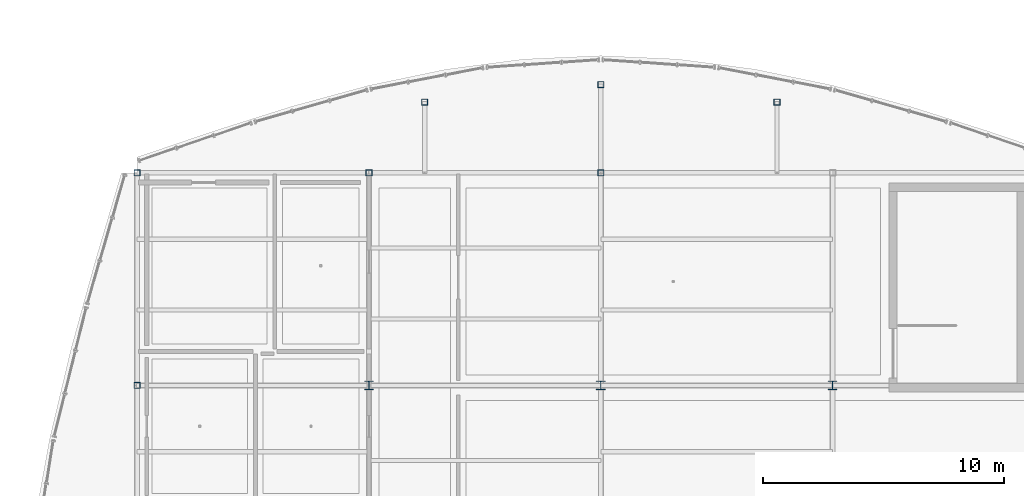
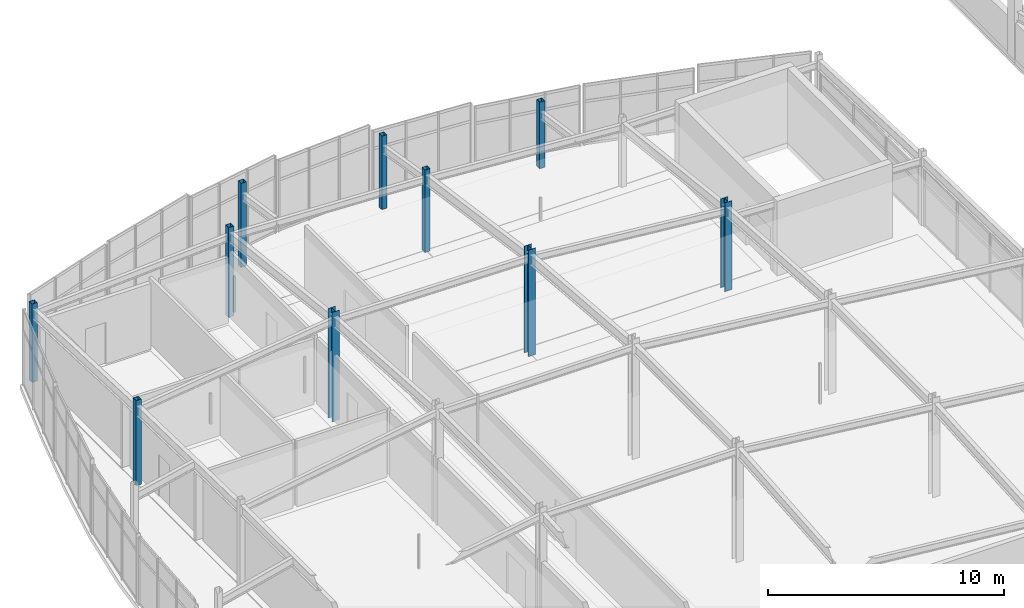
# One storey, part 4 of 114: 10 columns.
"""IFC4 building model written with IfcOpenShell, lengths in metres."""

from ifc_helpers import new_model, si_unit, direction, frame, origin, origin_2d, place, context, subcontext, project, spatial, hollow_rectangle, i_section, extrude, material, material_profile, profile_set, type_object, element, save


model = new_model("IFC4")

# Units and contexts
model_context = context("Model", 3, precision=1e-05, world=origin(), true_north=direction((0.0, 1.0)))
body_context = subcontext(model_context, "Body", "Model", "MODEL_VIEW")
ifc_project = project(units=[si_unit("LENGTHUNIT", "METRE"), si_unit("AREAUNIT", "SQUARE_METRE"), si_unit("VOLUMEUNIT", "CUBIC_METRE"), si_unit("PLANEANGLEUNIT", "RADIAN"), si_unit("MASSUNIT", "GRAM", prefix="KILO")], contexts=[model_context])

# Site, building, storey
site_placement = place(None, origin())
site = spatial("IfcSite", under=ifc_project, at=site_placement, CompositionType="ELEMENT")
building_placement = place(site_placement, origin())
building = spatial("IfcBuilding", under=site, at=building_placement, Name="Chalmorin Arch Market", CompositionType="ELEMENT")
storey_placement = place(building_placement, frame((0.0, 0.0, 9.60009765625)))
storey = spatial("IfcBuildingStorey", under=building, at=storey_placement, Name="L02", CompositionType="ELEMENT", Elevation=9.60009765625)

# Columns
ifc_material_1 = material(Name="Steel A500 Grade C", Category="steel")
ifc_material_profile_1 = material_profile(ifc_material_1, hollow_rectangle(XDim=0.25390625, YDim=0.25390625, WallThickness=0.01171875, at=origin_2d()), Name="HSS10X10X1/2")
ifc_profile_set_1 = profile_set([ifc_material_profile_1], Name="Steel A500 Grade C")
column_type_1 = type_object("IfcColumnType", Name="SteelTubeColumn-HSS10X10", PredefinedType="COLUMN", material=ifc_profile_set_1)
column_1_placement = place(storey_placement, frame((0.0, 41.199951171875, 0.0), z_axis=(0.0, 0.0, 1.0), x_axis=(1.0, 0.0, 0.0)))
element("IfcColumn", 1, at=column_1_placement, inside=storey, type_object=column_type_1, Name="C-HS2-022", PredefinedType="COLUMN", context=body_context, shape_type="SweptSolid", body=[
    extrude(hollow_rectangle(XDim=0.25390625, YDim=0.25390625, WallThickness=0.01171875, at=origin_2d()), origin(), (0.0, 0.0, 1.0), 4.40283203125),
])
column_2_placement = place(storey_placement, frame((0.0, 50.0, 0.0), z_axis=(0.0, 0.0, 1.0), x_axis=(1.0, 0.0, 0.0)))
element("IfcColumn", 2, at=column_2_placement, inside=storey, type_object=column_type_1, Name="C-HS2-026", PredefinedType="COLUMN", context=body_context, shape_type="SweptSolid", body=[
    extrude(hollow_rectangle(XDim=0.25390625, YDim=0.25390625, WallThickness=0.01171875, at=origin_2d()), origin(), (0.0, 0.0, 1.0), 4.054931640625),
])
column_3_placement = place(storey_placement, frame((9.60009765625, 50.0, 0.0), z_axis=(0.0, 0.0, 1.0), x_axis=(1.0, 0.0, 0.0)))
element("IfcColumn", 3, at=column_3_placement, inside=storey, type_object=column_type_1, Name="C-HS2-064", PredefinedType="COLUMN", context=body_context, shape_type="SweptSolid", body=[
    extrude(hollow_rectangle(XDim=0.25390625, YDim=0.25390625, WallThickness=0.01171875, at=origin_2d()), origin(), (0.0, 0.0, 1.0), 4.64794921875),
])
column_4_placement = place(storey_placement, frame((19.199951171875, 50.0, 0.0), z_axis=(0.0, 0.0, 1.0), x_axis=(1.0, 0.0, 0.0)))
element("IfcColumn", 4, at=column_4_placement, inside=storey, type_object=column_type_1, Name="C-HS2-101", PredefinedType="COLUMN", context=body_context, shape_type="SweptSolid", body=[
    extrude(hollow_rectangle(XDim=0.25390625, YDim=0.25390625, WallThickness=0.01171875, at=origin_2d()), origin(), (0.0, 0.0, 1.0), 4.2578125),
])
column_5_placement = place(storey_placement, frame((11.904052734375, 52.924072265625, 0.0), z_axis=(0.0, 0.0, 1.0), x_axis=(1.0, 0.0, 0.0)))
element("IfcColumn", 5, at=column_5_placement, inside=storey, type_object=column_type_1, Name="C-HS2-691", PredefinedType="COLUMN", context=body_context, shape_type="SweptSolid", body=[
    extrude(hollow_rectangle(XDim=0.25390625, YDim=0.25390625, WallThickness=0.01171875, at=origin_2d()), origin(), (0.0, 0.0, 1.0), 4.352783203125),
])
column_6_placement = place(storey_placement, frame((19.199951171875, 53.64990234375, 0.0), z_axis=(0.0, 0.0, 1.0), x_axis=(1.0, 0.0, 0.0)))
element("IfcColumn", 6, at=column_6_placement, inside=storey, type_object=column_type_1, Name="C-HS2-697", PredefinedType="COLUMN", context=body_context, shape_type="SweptSolid", body=[
    extrude(hollow_rectangle(XDim=0.25390625, YDim=0.25390625, WallThickness=0.01171875, at=origin_2d()), origin(), (0.0, 0.0, 1.0), 3.80078125),
])
column_7_placement = place(storey_placement, frame((26.49609375, 52.924072265625, 0.0), z_axis=(0.0, 0.0, 1.0), x_axis=(1.0, 0.0, 0.0)))
element("IfcColumn", 7, at=column_7_placement, inside=storey, type_object=column_type_1, Name="C-HS2-703", PredefinedType="COLUMN", context=body_context, shape_type="SweptSolid", body=[
    extrude(hollow_rectangle(XDim=0.25390625, YDim=0.25390625, WallThickness=0.01171875, at=origin_2d()), origin(), (0.0, 0.0, 1.0), 3.43994140625),
])
ifc_material_2 = material(Name="Steel A992 Grade 50", Category="steel")
ifc_material_profile_2 = material_profile(ifc_material_2, i_section(OverallWidth=0.35595703125, OverallDepth=0.35595703125, WebThickness=0.01123046875, FlangeThickness=0.01806640625, FilletRadius=0.02490234375, at=origin_2d()), Name="W14X90")
ifc_profile_set_2 = profile_set([ifc_material_profile_2], Name="Steel A992 Grade 50")
column_type_2 = type_object("IfcColumnType", Name="WideFlangeColumn-W14X90", PredefinedType="COLUMN", material=ifc_profile_set_2)
column_8_placement = place(storey_placement, frame((9.60009765625, 41.199951171875, 0.0), z_axis=(0.0, 0.0, 1.0), x_axis=(1.0, 0.0, 0.0)))
element("IfcColumn", 8, at=column_8_placement, inside=storey, type_object=column_type_2, Name="C-ST2-060", PredefinedType="COLUMN", context=body_context, shape_type="SweptSolid", body=[
    extrude(i_section(OverallWidth=0.35595703125, OverallDepth=0.35595703125, WebThickness=0.01123046875, FlangeThickness=0.01806640625, FilletRadius=0.02490234375, at=origin_2d()), origin(), (0.0, 0.0, 1.0), 5.64794921875),
])
column_9_placement = place(storey_placement, frame((19.199951171875, 41.199951171875, 0.0), z_axis=(0.0, 0.0, 1.0), x_axis=(1.0, 0.0, 0.0)))
element("IfcColumn", 9, at=column_9_placement, inside=storey, type_object=column_type_2, Name="C-ST2-097", PredefinedType="COLUMN", context=body_context, shape_type="SweptSolid", body=[
    extrude(i_section(OverallWidth=0.35595703125, OverallDepth=0.35595703125, WebThickness=0.01123046875, FlangeThickness=0.01806640625, FilletRadius=0.02490234375, at=origin_2d()), origin(), (0.0, 0.0, 1.0), 5.5087890625),
])
column_10_placement = place(storey_placement, frame((28.800048828125, 41.199951171875, 0.0), z_axis=(0.0, 0.0, 1.0), x_axis=(1.0, 0.0, 0.0)))
element("IfcColumn", 10, at=column_10_placement, inside=storey, type_object=column_type_2, Name="C-ST2-134", PredefinedType="COLUMN", context=body_context, shape_type="SweptSolid", body=[
    extrude(i_section(OverallWidth=0.35595703125, OverallDepth=0.35595703125, WebThickness=0.01123046875, FlangeThickness=0.01806640625, FilletRadius=0.02490234375, at=origin_2d()), origin(), (0.0, 0.0, 1.0), 4.591796875),
])

save(model, "model.ifc")
